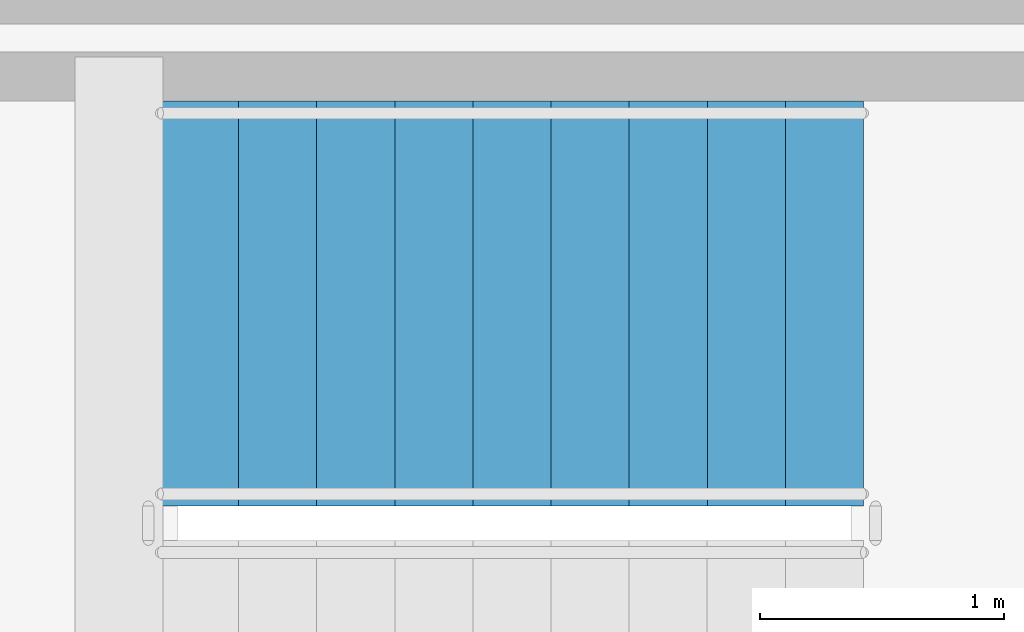
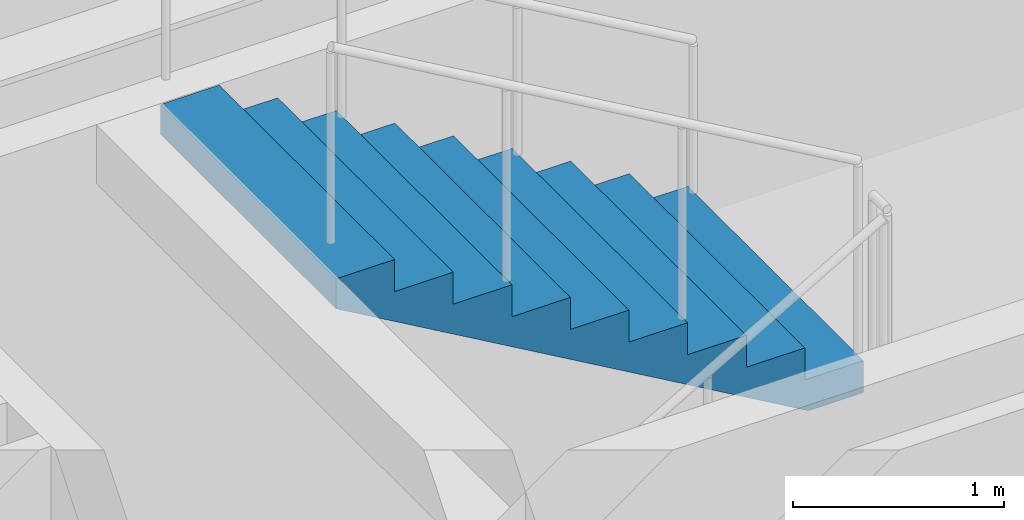
# One storey, part 20 of 21: 1 stair flight, 1 element without a shape of its own.
"""IFC4 building model written with IfcOpenShell, lengths in metres."""

from ifc_helpers import new_model, si_unit, direction, frame, origin, place, context, subcontext, project, spatial, polyline, outline, extrude, material, type_object, element, aggregate, save


model = new_model("IFC4")

# Units and contexts
model_context = context("Model", 3, precision=1e-05, world=origin(), true_north=direction((0.0, 1.0)))
body_context = subcontext(model_context, "Body", "Model", "MODEL_VIEW")
ifc_project = project(units=[si_unit("LENGTHUNIT", "METRE"), si_unit("AREAUNIT", "SQUARE_METRE"), si_unit("VOLUMEUNIT", "CUBIC_METRE"), si_unit("PLANEANGLEUNIT", "RADIAN"), si_unit("MASSUNIT", "GRAM", prefix="KILO")], contexts=[model_context])

# Site, building, storey
site_placement = place(None, origin())
site = spatial("IfcSite", under=ifc_project, at=site_placement, CompositionType="ELEMENT")
building_placement = place(site_placement, origin())
building = spatial("IfcBuilding", under=site, at=building_placement, Name="Kallvorn Hotel Tower", CompositionType="ELEMENT")
storey_placement = place(building_placement, frame((0.0, 0.0, 41.10009765625)))
storey = spatial("IfcBuildingStorey", under=building, at=storey_placement, Name="L08", CompositionType="ELEMENT", Elevation=41.10009765625)

# Stair, stair flight
ifc_material_1 = material(Name="Precast concrete C40/50", Category="concrete")
stair_type = type_object("IfcStairType", Name="STR_CORE_DOGLEG", PredefinedType="HALF_TURN_STAIR", material=ifc_material_1)
stair_placement = place(storey_placement, origin())
stair = element("IfcStair", 1, at=stair_placement, inside=storey, type_object=stair_type, Name="L08 Exit stair ST3", PredefinedType="HALF_TURN_STAIR")
ifc_material_2 = material(Name="Precast concrete C40/50", Category="concrete")
stair_flight_type = type_object("IfcStairFlightType", Name="FLT_CORE_1660", PredefinedType="STRAIGHT", material=ifc_material_2)
stair_flight_placement = place(storey_placement, frame((0.090087890625, 5.679931640625, 1.849853515625), z_axis=(0.0, 0.0, 1.0), x_axis=(-1.0, 0.0, 0.0)))
stair_flight = element("IfcStairFlight", 2, at=stair_flight_placement, type_object=stair_flight_type, Name="ST3 flight 2", NumberOfRisers=10, NumberOfTreads=9, PredefinedType="STRAIGHT", RiserHeight=0.185, TreadLength=0.32, context=body_context, shape_type="SweptSolid", body=[
    extrude(outline(polyline([(0.0, 0.0), (0.0, 0.18505859375), (0.320068359375, 0.18505859375), (0.320068359375, 0.3701171875), (0.639892578125, 0.3701171875), (0.639892578125, 0.554931640625), (0.9599609375, 0.554931640625), (0.9599609375, 0.739990234375), (1.280029296875, 0.739990234375), (1.280029296875, 0.925048828125), (1.60009765625, 0.925048828125), (1.60009765625, 1.110107421875), (1.919921875, 1.110107421875), (1.919921875, 1.294921875), (2.239990234375, 1.294921875), (2.239990234375, 1.47998046875), (2.56005859375, 1.47998046875), (2.56005859375, 1.6650390625), (2.8798828125, 1.6650390625), (2.8798828125, 1.85009765625), (2.8798828125, 1.491943359375), (0.299560546875, 0.0), (0.0, 0.0)])), frame((0.0, 0.830078125, 0.0), z_axis=(0.0, -1.0, 0.0), x_axis=(1.0, 0.0, 0.0)), (0.0, 0.0, 1.0), 1.659912109375),
])
aggregate(stair, [stair_flight])

save(model, "model.ifc")
